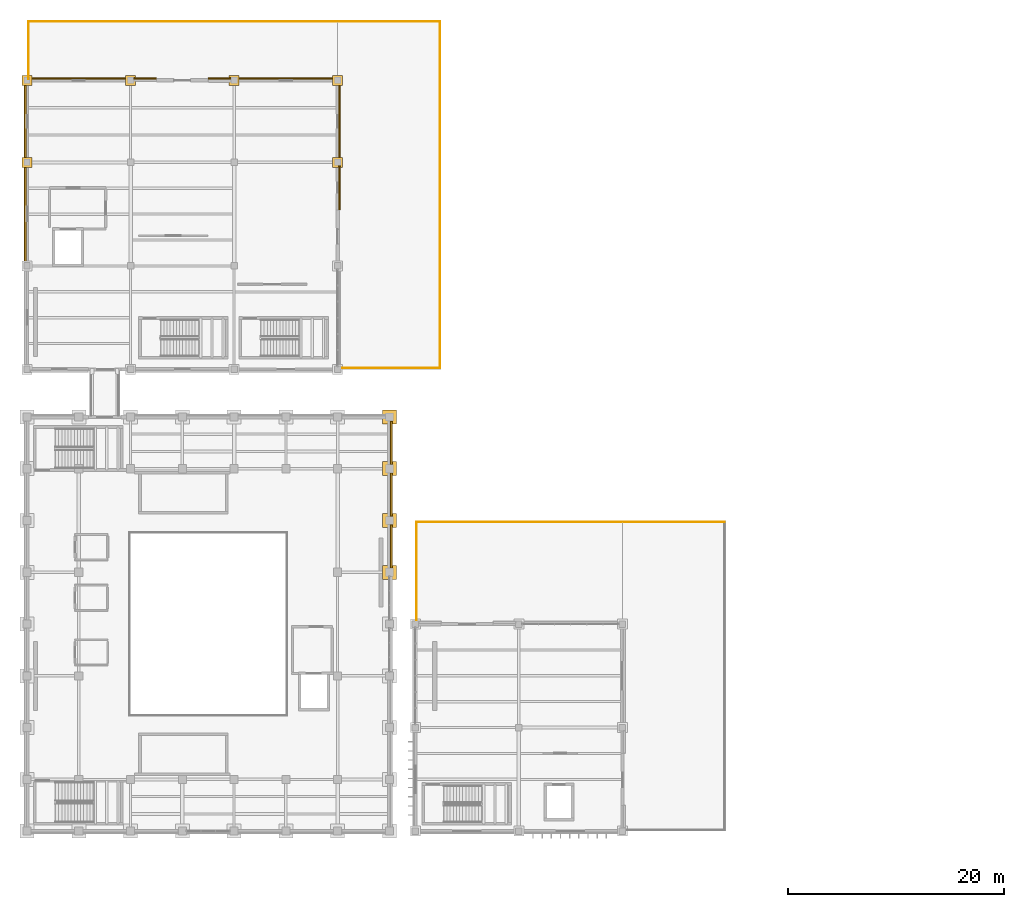
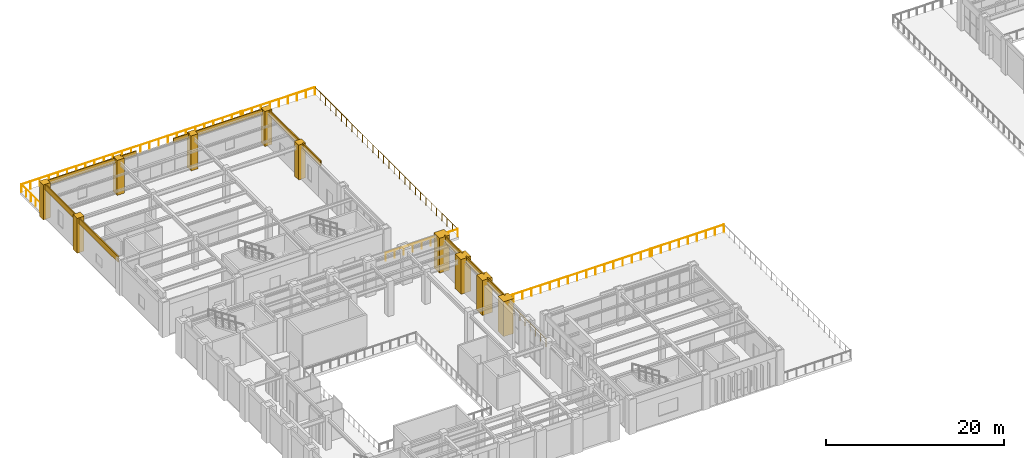
# One storey, part 78 of 83: 21 coverings, 8 railings.
"""IFC4 building model written with IfcOpenShell, lengths in metres."""

from ifc_helpers import new_model, si_unit, direction, frame, origin, origin_2d, place, context, subcontext, project, spatial, polyline, circle, outline, extrude, material, layer, layer_set, type_object, element, save


model = new_model("IFC4")

# Units and contexts
model_context = context("Model", 3, precision=1e-05, world=origin(), true_north=direction((0.0, 1.0)))
body_context = subcontext(model_context, "Body", "Model", "MODEL_VIEW")
ifc_project = project(units=[si_unit("LENGTHUNIT", "METRE"), si_unit("AREAUNIT", "SQUARE_METRE"), si_unit("VOLUMEUNIT", "CUBIC_METRE"), si_unit("PLANEANGLEUNIT", "RADIAN"), si_unit("MASSUNIT", "GRAM", prefix="KILO")], contexts=[model_context])

# Site, building, storey
site_placement = place(None, origin())
site = spatial("IfcSite", under=ifc_project, at=site_placement, CompositionType="ELEMENT")
building_placement = place(site_placement, origin())
building = spatial("IfcBuilding", under=site, at=building_placement, Name="Mavantir Sound Aquarium", CompositionType="ELEMENT")
storey_placement = place(building_placement, frame((0.0, 0.0, 10.5)))
storey = spatial("IfcBuildingStorey", under=building, at=storey_placement, Name="L02", CompositionType="ELEMENT", Elevation=10.5)

# Coverings
ifc_material_1 = material(Name="Honed Coral-Limestone & Glazed Terracotta Rainscreen Cladding", Category="masonry")
ifc_layer = layer(ifc_material_1, 0.06005859375, Name="Honed Coral-Limestone & Glazed Terracotta Rainscreen Cladding")
ifc_layer_set = layer_set([ifc_layer], Name="Honed Coral-Limestone & Glazed Terracotta Rainscreen Cladding")
covering_type = type_object("IfcCoveringType", Name="COV-CLAD-TC", PredefinedType="CLADDING", material=ifc_layer_set)
covering_1_placement = place(storey_placement, frame((0.0, 0.0, 4.008056640625)))
element("IfcCovering", 1, at=covering_1_placement, inside=storey, type_object=covering_type, Name="L02 Postmodern coral-limestone spandrel frieze 290", PredefinedType="CLADDING", context=body_context, shape_type="SweptSolid", body=[
    extrude(outline(polyline([(33.68994140625, 65.18310546875), (33.68994140625, 69.217041015625), (33.840087890625, 69.217041015625), (33.840087890625, 65.18310546875), (33.68994140625, 65.18310546875)])), origin(), (0.0, 0.0, 1.0), 0.7919921875),
])
covering_2_placement = place(storey_placement, frame((0.0, 0.0, 4.008056640625)))
element("IfcCovering", 2, at=covering_2_placement, inside=storey, type_object=covering_type, Name="L02 Postmodern coral-limestone spandrel frieze 291", PredefinedType="CLADDING", context=body_context, shape_type="SweptSolid", body=[
    extrude(outline(polyline([(33.68994140625, 69.98291015625), (33.68994140625, 74.01708984375), (33.840087890625, 74.01708984375), (33.840087890625, 69.98291015625), (33.68994140625, 69.98291015625)])), origin(), (0.0, 0.0, 1.0), 0.7919921875),
])
covering_3_placement = place(storey_placement, frame((0.0, 0.0, 3.89892578125)))
element("IfcCovering", 3, at=covering_3_placement, inside=storey, type_object=covering_type, Name="L02 Postmodern coral-limestone spandrel frieze 292", PredefinedType="CLADDING", context=body_context, shape_type="SweptSolid", body=[
    extrude(outline(polyline([(33.68994140625, 74.782958984375), (33.68994140625, 78.81689453125), (33.840087890625, 78.81689453125), (33.840087890625, 74.782958984375), (33.68994140625, 74.782958984375)])), origin(), (0.0, 0.0, 1.0), 0.901123046875),
])
covering_4_placement = place(storey_placement, frame((0.0, 0.0, 4.1279296875)))
element("IfcCovering", 4, at=covering_4_placement, inside=storey, type_object=covering_type, Name="L02 Postmodern coral-limestone spandrel frieze 377", PredefinedType="CLADDING", context=body_context, shape_type="SweptSolid", body=[
    extrude(outline(polyline([(28.889892578125, 98.405029296875), (28.889892578125, 102.491943359375), (29.0400390625, 102.491943359375), (29.0400390625, 98.405029296875), (28.889892578125, 98.405029296875)])), origin(), (0.0, 0.0, 1.0), 0.672119140625),
])
covering_5_placement = place(storey_placement, frame((0.0, 0.0, 4.0859375)))
element("IfcCovering", 5, at=covering_5_placement, inside=storey, type_object=covering_type, Name="L02 Postmodern coral-limestone spandrel frieze 378", PredefinedType="CLADDING", context=body_context, shape_type="SweptSolid", body=[
    extrude(outline(polyline([(28.889892578125, 103.10791015625), (28.889892578125, 110.092041015625), (29.0400390625, 110.092041015625), (29.0400390625, 103.10791015625), (28.889892578125, 103.10791015625)])), origin(), (0.0, 0.0, 1.0), 0.714111328125),
])
covering_6_placement = place(storey_placement, frame((0.0, 0.0, 4.087890625)))
element("IfcCovering", 6, at=covering_6_placement, inside=storey, type_object=covering_type, Name="L02 Postmodern coral-limestone spandrel frieze 379", PredefinedType="CLADDING", context=body_context, shape_type="SweptSolid", body=[
    extrude(outline(polyline([(28.491943359375, 110.489990234375), (19.508056640625, 110.489990234375), (19.508056640625, 110.639892578125), (28.491943359375, 110.639892578125), (28.491943359375, 110.489990234375)])), origin(), (0.0, 0.0, 1.0), 0.712158203125),
])
covering_7_placement = place(storey_placement, frame((0.0, 0.0, 4.193115234375)))
element("IfcCovering", 7, at=covering_7_placement, inside=storey, type_object=covering_type, Name="L02 Postmodern coral-limestone spandrel frieze 380", PredefinedType="CLADDING", context=body_context, shape_type="SweptSolid", body=[
    extrude(outline(polyline([(18.89208984375, 110.489990234375), (16.804931640625, 110.489990234375), (16.804931640625, 110.639892578125), (18.89208984375, 110.639892578125), (18.89208984375, 110.489990234375)])), origin(), (0.0, 0.0, 1.0), 0.60693359375),
])
covering_8_placement = place(storey_placement, frame((0.0, 0.0, 4.193115234375)))
element("IfcCovering", 8, at=covering_8_placement, inside=storey, type_object=covering_type, Name="L02 Postmodern coral-limestone spandrel frieze 381", PredefinedType="CLADDING", context=body_context, shape_type="SweptSolid", body=[
    extrude(outline(polyline([(11.9951171875, 110.489990234375), (9.907958984375, 110.489990234375), (9.907958984375, 110.639892578125), (11.9951171875, 110.639892578125), (11.9951171875, 110.489990234375)])), origin(), (0.0, 0.0, 1.0), 0.60693359375),
])
covering_9_placement = place(storey_placement, frame((0.0, 0.0, 4.087890625)))
element("IfcCovering", 9, at=covering_9_placement, inside=storey, type_object=covering_type, Name="L02 Postmodern coral-limestone spandrel frieze 382", PredefinedType="CLADDING", context=body_context, shape_type="SweptSolid", body=[
    extrude(outline(polyline([(9.2919921875, 110.489990234375), (0.30810546875, 110.489990234375), (0.30810546875, 110.639892578125), (9.2919921875, 110.639892578125), (9.2919921875, 110.489990234375)])), origin(), (0.0, 0.0, 1.0), 0.712158203125),
])
covering_10_placement = place(storey_placement, frame((0.0, 0.0, 4.032958984375)))
element("IfcCovering", 10, at=covering_10_placement, inside=storey, type_object=covering_type, Name="L02 Postmodern coral-limestone spandrel frieze 383", PredefinedType="CLADDING", context=body_context, shape_type="SweptSolid", body=[
    extrude(outline(polyline([(-0.090087890625, 110.092041015625), (-0.090087890625, 103.10791015625), (-0.239990234375, 103.10791015625), (-0.239990234375, 110.092041015625), (-0.090087890625, 110.092041015625)])), origin(), (0.0, 0.0, 1.0), 0.76708984375),
])
covering_11_placement = place(storey_placement, frame((0.0, 0.0, 4.032958984375)))
element("IfcCovering", 11, at=covering_11_placement, inside=storey, type_object=covering_type, Name="L02 Postmodern coral-limestone spandrel frieze 384", PredefinedType="CLADDING", context=body_context, shape_type="SweptSolid", body=[
    extrude(outline(polyline([(-0.090087890625, 102.491943359375), (-0.090087890625, 93.508056640625), (-0.239990234375, 93.508056640625), (-0.239990234375, 102.491943359375), (-0.090087890625, 102.491943359375)])), origin(), (0.0, 0.0, 1.0), 0.76708984375),
])
covering_12_placement = place(storey_placement, origin())
element("IfcCovering", 12, at=covering_12_placement, inside=storey, type_object=covering_type, Name="L02 Postmodern coral-limestone pilaster casing 107", PredefinedType="CLADDING", context=body_context, shape_type="SweptSolid", body=[
    extrude(outline(polyline([(32.949951171875, 64.14990234375), (34.25, 64.14990234375), (34.25, 65.449951171875), (32.949951171875, 65.449951171875), (32.949951171875, 64.14990234375)])), origin(), (0.0, 0.0, 1.0), 4.800048828125),
])
covering_13_placement = place(storey_placement, origin())
element("IfcCovering", 13, at=covering_13_placement, inside=storey, type_object=covering_type, Name="L02 Postmodern coral-limestone pilaster casing 111", PredefinedType="CLADDING", context=body_context, shape_type="SweptSolid", body=[
    extrude(outline(polyline([(32.949951171875, 68.949951171875), (34.25, 68.949951171875), (34.25, 70.25), (32.949951171875, 70.25), (32.949951171875, 68.949951171875)])), origin(), (0.0, 0.0, 1.0), 4.800048828125),
])
covering_14_placement = place(storey_placement, origin())
element("IfcCovering", 14, at=covering_14_placement, inside=storey, type_object=covering_type, Name="L02 Postmodern coral-limestone pilaster casing 115", PredefinedType="CLADDING", context=body_context, shape_type="SweptSolid", body=[
    extrude(outline(polyline([(32.949951171875, 73.75), (34.25, 73.75), (34.25, 75.050048828125), (32.949951171875, 75.050048828125), (32.949951171875, 73.75)])), origin(), (0.0, 0.0, 1.0), 4.800048828125),
])
covering_15_placement = place(storey_placement, origin())
element("IfcCovering", 15, at=covering_15_placement, inside=storey, type_object=covering_type, Name="L02 Postmodern coral-limestone pilaster casing 119", PredefinedType="CLADDING", context=body_context, shape_type="SweptSolid", body=[
    extrude(outline(polyline([(32.949951171875, 78.550048828125), (34.25, 78.550048828125), (34.25, 79.85009765625), (32.949951171875, 79.85009765625), (32.949951171875, 78.550048828125)])), origin(), (0.0, 0.0, 1.0), 4.800048828125),
])
covering_16_placement = place(storey_placement, origin())
element("IfcCovering", 16, at=covering_16_placement, inside=storey, type_object=covering_type, Name="L02 Postmodern coral-limestone pilaster casing 357", PredefinedType="CLADDING", context=body_context, shape_type="SweptSolid", body=[
    extrude(outline(polyline([(-0.4599609375, 102.340087890625), (0.4599609375, 102.340087890625), (0.4599609375, 103.260009765625), (-0.4599609375, 103.260009765625), (-0.4599609375, 102.340087890625)])), origin(), (0.0, 0.0, 1.0), 4.800048828125),
])
covering_17_placement = place(storey_placement, origin())
element("IfcCovering", 17, at=covering_17_placement, inside=storey, type_object=covering_type, Name="L02 Postmodern coral-limestone pilaster casing 363", PredefinedType="CLADDING", context=body_context, shape_type="SweptSolid", body=[
    extrude(outline(polyline([(-0.4599609375, 109.93994140625), (0.4599609375, 109.93994140625), (0.4599609375, 110.860107421875), (-0.4599609375, 110.860107421875), (-0.4599609375, 109.93994140625)])), origin(), (0.0, 0.0, 1.0), 4.800048828125),
])
covering_18_placement = place(storey_placement, origin())
element("IfcCovering", 18, at=covering_18_placement, inside=storey, type_object=covering_type, Name="L02 Postmodern coral-limestone pilaster casing 375", PredefinedType="CLADDING", context=body_context, shape_type="SweptSolid", body=[
    extrude(outline(polyline([(9.139892578125, 109.93994140625), (10.06005859375, 109.93994140625), (10.06005859375, 110.860107421875), (9.139892578125, 110.860107421875), (9.139892578125, 109.93994140625)])), origin(), (0.0, 0.0, 1.0), 4.800048828125),
])
covering_19_placement = place(storey_placement, origin())
element("IfcCovering", 19, at=covering_19_placement, inside=storey, type_object=covering_type, Name="L02 Postmodern coral-limestone pilaster casing 387", PredefinedType="CLADDING", context=body_context, shape_type="SweptSolid", body=[
    extrude(outline(polyline([(18.739990234375, 109.93994140625), (19.659912109375, 109.93994140625), (19.659912109375, 110.860107421875), (18.739990234375, 110.860107421875), (18.739990234375, 109.93994140625)])), origin(), (0.0, 0.0, 1.0), 4.800048828125),
])
covering_20_placement = place(storey_placement, origin())
element("IfcCovering", 20, at=covering_20_placement, inside=storey, type_object=covering_type, Name="L02 Postmodern coral-limestone pilaster casing 400", PredefinedType="CLADDING", context=body_context, shape_type="SweptSolid", body=[
    extrude(outline(polyline([(28.340087890625, 102.340087890625), (29.260009765625, 102.340087890625), (29.260009765625, 103.260009765625), (28.340087890625, 103.260009765625), (28.340087890625, 102.340087890625)])), origin(), (0.0, 0.0, 1.0), 4.800048828125),
])
covering_21_placement = place(storey_placement, origin())
element("IfcCovering", 21, at=covering_21_placement, inside=storey, type_object=covering_type, Name="L02 Postmodern coral-limestone pilaster casing 404", PredefinedType="CLADDING", context=body_context, shape_type="SweptSolid", body=[
    extrude(outline(polyline([(28.340087890625, 109.93994140625), (29.260009765625, 109.93994140625), (29.260009765625, 110.860107421875), (28.340087890625, 110.860107421875), (28.340087890625, 109.93994140625)])), origin(), (0.0, 0.0, 1.0), 4.800048828125),
])

# Railings
ifc_material_2 = material(Name="Stainless Steel 316 and Laminated Glass Guardrail", Category="steel")
railing_type = type_object("IfcRailingType", Name="RL-GUARD-110", PredefinedType="GUARDRAIL", material=ifc_material_2)
railing_1_placement = place(storey_placement, frame((55.320068359375, 69.47998046875, 0.0)))
element("IfcRailing", 22, at=railing_1_placement, inside=storey, type_object=railing_type, Name="L02 terrace N guardrail 16", PredefinedType="GUARDRAIL", context=body_context, shape_type="SweptSolid", body=[
    extrude(circle(Radius=0.02392578125, at=origin_2d()), frame((0.0, 0.0, 1.076171875), z_axis=(1.0, 0.0, 0.0), x_axis=(0.0, 1.0, 0.0)), (0.0, 0.0, 1.0), 9.35986328125),
    extrude(circle(Radius=0.02099609375, at=origin_2d()), origin(), (0.0, 0.0, 1.0), 1.052001953125),
    extrude(circle(Radius=0.02099609375, at=origin_2d()), frame((1.169921875, 0.0, 0.0)), (0.0, 0.0, 1.0), 1.052001953125),
    extrude(circle(Radius=0.02099609375, at=origin_2d()), frame((2.33984375, 0.0, 0.0)), (0.0, 0.0, 1.0), 1.052001953125),
    extrude(circle(Radius=0.02099609375, at=origin_2d()), frame((3.510009765625, 0.0, 0.0)), (0.0, 0.0, 1.0), 1.052001953125),
    extrude(circle(Radius=0.02099609375, at=origin_2d()), frame((4.679931640625, 0.0, 0.0)), (0.0, 0.0, 1.0), 1.052001953125),
    extrude(circle(Radius=0.02099609375, at=origin_2d()), frame((5.849853515625, 0.0, 0.0)), (0.0, 0.0, 1.0), 1.052001953125),
    extrude(circle(Radius=0.02099609375, at=origin_2d()), frame((7.02001953125, 0.0, 0.0)), (0.0, 0.0, 1.0), 1.052001953125),
    extrude(circle(Radius=0.02099609375, at=origin_2d()), frame((8.18994140625, 0.0, 0.0)), (0.0, 0.0, 1.0), 1.052001953125),
    extrude(circle(Radius=0.02099609375, at=origin_2d()), frame((9.35986328125, 0.0, 0.0)), (0.0, 0.0, 1.0), 1.052001953125),
])
railing_2_placement = place(storey_placement, frame((36.1201171875, 60.1201171875, 0.0)))
element("IfcRailing", 23, at=railing_2_placement, inside=storey, type_object=railing_type, Name="L02 terrace W guardrail 17", PredefinedType="GUARDRAIL", context=body_context, shape_type="SweptSolid", body=[
    extrude(circle(Radius=0.02392578125, at=origin_2d()), frame((0.0, 0.0, 1.076171875), z_axis=(0.0, 1.0, 0.0), x_axis=(-1.0, 0.0, 0.0)), (0.0, 0.0, 1.0), 9.35986328125),
    extrude(circle(Radius=0.02099609375, at=origin_2d()), origin(), (0.0, 0.0, 1.0), 1.052001953125),
    extrude(circle(Radius=0.02099609375, at=origin_2d()), frame((0.0, 1.169921875, 0.0)), (0.0, 0.0, 1.0), 1.052001953125),
    extrude(circle(Radius=0.02099609375, at=origin_2d()), frame((0.0, 2.33984375, 0.0)), (0.0, 0.0, 1.0), 1.052001953125),
    extrude(circle(Radius=0.02099609375, at=origin_2d()), frame((0.0, 3.510009765625, 0.0)), (0.0, 0.0, 1.0), 1.052001953125),
    extrude(circle(Radius=0.02099609375, at=origin_2d()), frame((0.0, 4.679931640625, 0.0)), (0.0, 0.0, 1.0), 1.052001953125),
    extrude(circle(Radius=0.02099609375, at=origin_2d()), frame((0.0, 5.849853515625, 0.0)), (0.0, 0.0, 1.0), 1.052001953125),
    extrude(circle(Radius=0.02099609375, at=origin_2d()), frame((0.0, 7.02001953125, 0.0)), (0.0, 0.0, 1.0), 1.052001953125),
    extrude(circle(Radius=0.02099609375, at=origin_2d()), frame((0.0, 8.18994140625, 0.0)), (0.0, 0.0, 1.0), 1.052001953125),
    extrude(circle(Radius=0.02099609375, at=origin_2d()), frame((0.0, 9.35986328125, 0.0)), (0.0, 0.0, 1.0), 1.052001953125),
])
railing_3_placement = place(storey_placement, frame((36.1201171875, 69.47998046875, 0.0)))
element("IfcRailing", 24, at=railing_3_placement, inside=storey, type_object=railing_type, Name="L02 terrace N guardrail 18", PredefinedType="GUARDRAIL", context=body_context, shape_type="SweptSolid", body=[
    extrude(circle(Radius=0.02392578125, at=origin_2d()), frame((0.0, 0.0, 1.076171875), z_axis=(1.0, 0.0, 0.0), x_axis=(0.0, 1.0, 0.0)), (0.0, 0.0, 1.0), 18.9599609375),
    extrude(circle(Radius=0.02099609375, at=origin_2d()), origin(), (0.0, 0.0, 1.0), 1.052001953125),
    extrude(circle(Radius=0.02099609375, at=origin_2d()), frame((1.18505859375, 0.0, 0.0)), (0.0, 0.0, 1.0), 1.052001953125),
    extrude(circle(Radius=0.02099609375, at=origin_2d()), frame((2.3701171875, 0.0, 0.0)), (0.0, 0.0, 1.0), 1.052001953125),
    extrude(circle(Radius=0.02099609375, at=origin_2d()), frame((3.554931640625, 0.0, 0.0)), (0.0, 0.0, 1.0), 1.052001953125),
    extrude(circle(Radius=0.02099609375, at=origin_2d()), frame((4.739990234375, 0.0, 0.0)), (0.0, 0.0, 1.0), 1.052001953125),
    extrude(circle(Radius=0.02099609375, at=origin_2d()), frame((5.925048828125, 0.0, 0.0)), (0.0, 0.0, 1.0), 1.052001953125),
    extrude(circle(Radius=0.02099609375, at=origin_2d()), frame((7.10986328125, 0.0, 0.0)), (0.0, 0.0, 1.0), 1.052001953125),
    extrude(circle(Radius=0.02099609375, at=origin_2d()), frame((8.294921875, 0.0, 0.0)), (0.0, 0.0, 1.0), 1.052001953125),
    extrude(circle(Radius=0.02099609375, at=origin_2d()), frame((9.47998046875, 0.0, 0.0)), (0.0, 0.0, 1.0), 1.052001953125),
    extrude(circle(Radius=0.02099609375, at=origin_2d()), frame((10.6650390625, 0.0, 0.0)), (0.0, 0.0, 1.0), 1.052001953125),
    extrude(circle(Radius=0.02099609375, at=origin_2d()), frame((11.85009765625, 0.0, 0.0)), (0.0, 0.0, 1.0), 1.052001953125),
    extrude(circle(Radius=0.02099609375, at=origin_2d()), frame((13.034912109375, 0.0, 0.0)), (0.0, 0.0, 1.0), 1.052001953125),
    extrude(circle(Radius=0.02099609375, at=origin_2d()), frame((14.219970703125, 0.0, 0.0)), (0.0, 0.0, 1.0), 1.052001953125),
    extrude(circle(Radius=0.02099609375, at=origin_2d()), frame((15.405029296875, 0.0, 0.0)), (0.0, 0.0, 1.0), 1.052001953125),
    extrude(circle(Radius=0.02099609375, at=origin_2d()), frame((16.58984375, 0.0, 0.0)), (0.0, 0.0, 1.0), 1.052001953125),
    extrude(circle(Radius=0.02099609375, at=origin_2d()), frame((17.77490234375, 0.0, 0.0)), (0.0, 0.0, 1.0), 1.052001953125),
    extrude(circle(Radius=0.02099609375, at=origin_2d()), frame((18.9599609375, 0.0, 0.0)), (0.0, 0.0, 1.0), 1.052001953125),
])
railing_4_placement = place(storey_placement, frame((28.919921875, 83.719970703125, 0.0)))
element("IfcRailing", 25, at=railing_4_placement, inside=storey, type_object=railing_type, Name="L02 terrace S guardrail 25", PredefinedType="GUARDRAIL", context=body_context, shape_type="SweptSolid", body=[
    extrude(circle(Radius=0.02392578125, at=origin_2d()), frame((0.0, 0.0, 1.076171875), z_axis=(1.0, 0.0, 0.0), x_axis=(0.0, 1.0, 0.0)), (0.0, 0.0, 1.0), 9.360107421875),
    extrude(circle(Radius=0.02099609375, at=origin_2d()), origin(), (0.0, 0.0, 1.0), 1.052001953125),
    extrude(circle(Radius=0.02099609375, at=origin_2d()), frame((1.169921875, 0.0, 0.0)), (0.0, 0.0, 1.0), 1.052001953125),
    extrude(circle(Radius=0.02099609375, at=origin_2d()), frame((2.340087890625, 0.0, 0.0)), (0.0, 0.0, 1.0), 1.052001953125),
    extrude(circle(Radius=0.02099609375, at=origin_2d()), frame((3.510009765625, 0.0, 0.0)), (0.0, 0.0, 1.0), 1.052001953125),
    extrude(circle(Radius=0.02099609375, at=origin_2d()), frame((4.68017578125, 0.0, 0.0)), (0.0, 0.0, 1.0), 1.052001953125),
    extrude(circle(Radius=0.02099609375, at=origin_2d()), frame((5.85009765625, 0.0, 0.0)), (0.0, 0.0, 1.0), 1.052001953125),
    extrude(circle(Radius=0.02099609375, at=origin_2d()), frame((7.02001953125, 0.0, 0.0)), (0.0, 0.0, 1.0), 1.052001953125),
    extrude(circle(Radius=0.02099609375, at=origin_2d()), frame((8.190185546875, 0.0, 0.0)), (0.0, 0.0, 1.0), 1.052001953125),
    extrude(circle(Radius=0.02099609375, at=origin_2d()), frame((9.360107421875, 0.0, 0.0)), (0.0, 0.0, 1.0), 1.052001953125),
])
railing_5_placement = place(storey_placement, frame((38.280029296875, 83.719970703125, 0.0)))
element("IfcRailing", 26, at=railing_5_placement, inside=storey, type_object=railing_type, Name="L02 terrace E guardrail 26", PredefinedType="GUARDRAIL", context=body_context, shape_type="SweptSolid", body=[
    extrude(circle(Radius=0.02392578125, at=origin_2d()), frame((0.0, 0.0, 1.076171875), z_axis=(0.0, 1.0, 0.0), x_axis=(-1.0, 0.0, 0.0)), (0.0, 0.0, 1.0), 32.159912109375),
    extrude(circle(Radius=0.02099609375, at=origin_2d()), origin(), (0.0, 0.0, 1.0), 1.052001953125),
    extrude(circle(Radius=0.02099609375, at=origin_2d()), frame((0.0, 1.191162109375, 0.0)), (0.0, 0.0, 1.0), 1.052001953125),
    extrude(circle(Radius=0.02099609375, at=origin_2d()), frame((0.0, 2.38232421875, 0.0)), (0.0, 0.0, 1.0), 1.052001953125),
    extrude(circle(Radius=0.02099609375, at=origin_2d()), frame((0.0, 3.5732421875, 0.0)), (0.0, 0.0, 1.0), 1.052001953125),
    extrude(circle(Radius=0.02099609375, at=origin_2d()), frame((0.0, 4.764404296875, 0.0)), (0.0, 0.0, 1.0), 1.052001953125),
    extrude(circle(Radius=0.02099609375, at=origin_2d()), frame((0.0, 5.95556640625, 0.0)), (0.0, 0.0, 1.0), 1.052001953125),
    extrude(circle(Radius=0.02099609375, at=origin_2d()), frame((0.0, 7.146728515625, 0.0)), (0.0, 0.0, 1.0), 1.052001953125),
    extrude(circle(Radius=0.02099609375, at=origin_2d()), frame((0.0, 8.337646484375, 0.0)), (0.0, 0.0, 1.0), 1.052001953125),
    extrude(circle(Radius=0.02099609375, at=origin_2d()), frame((0.0, 9.52880859375, 0.0)), (0.0, 0.0, 1.0), 1.052001953125),
    extrude(circle(Radius=0.02099609375, at=origin_2d()), frame((0.0, 10.719970703125, 0.0)), (0.0, 0.0, 1.0), 1.052001953125),
    extrude(circle(Radius=0.02099609375, at=origin_2d()), frame((0.0, 11.9111328125, 0.0)), (0.0, 0.0, 1.0), 1.052001953125),
    extrude(circle(Radius=0.02099609375, at=origin_2d()), frame((0.0, 13.102294921875, 0.0)), (0.0, 0.0, 1.0), 1.052001953125),
    extrude(circle(Radius=0.02099609375, at=origin_2d()), frame((0.0, 14.293212890625, 0.0)), (0.0, 0.0, 1.0), 1.052001953125),
    extrude(circle(Radius=0.02099609375, at=origin_2d()), frame((0.0, 15.484375, 0.0)), (0.0, 0.0, 1.0), 1.052001953125),
    extrude(circle(Radius=0.02099609375, at=origin_2d()), frame((0.0, 16.675537109375, 0.0)), (0.0, 0.0, 1.0), 1.052001953125),
    extrude(circle(Radius=0.02099609375, at=origin_2d()), frame((0.0, 17.86669921875, 0.0)), (0.0, 0.0, 1.0), 1.052001953125),
    extrude(circle(Radius=0.02099609375, at=origin_2d()), frame((0.0, 19.0576171875, 0.0)), (0.0, 0.0, 1.0), 1.052001953125),
    extrude(circle(Radius=0.02099609375, at=origin_2d()), frame((0.0, 20.248779296875, 0.0)), (0.0, 0.0, 1.0), 1.052001953125),
    extrude(circle(Radius=0.02099609375, at=origin_2d()), frame((0.0, 21.43994140625, 0.0)), (0.0, 0.0, 1.0), 1.052001953125),
    extrude(circle(Radius=0.02099609375, at=origin_2d()), frame((0.0, 22.631103515625, 0.0)), (0.0, 0.0, 1.0), 1.052001953125),
    extrude(circle(Radius=0.02099609375, at=origin_2d()), frame((0.0, 23.822265625, 0.0)), (0.0, 0.0, 1.0), 1.052001953125),
    extrude(circle(Radius=0.02099609375, at=origin_2d()), frame((0.0, 25.01318359375, 0.0)), (0.0, 0.0, 1.0), 1.052001953125),
    extrude(circle(Radius=0.02099609375, at=origin_2d()), frame((0.0, 26.204345703125, 0.0)), (0.0, 0.0, 1.0), 1.052001953125),
    extrude(circle(Radius=0.02099609375, at=origin_2d()), frame((0.0, 27.3955078125, 0.0)), (0.0, 0.0, 1.0), 1.052001953125),
    extrude(circle(Radius=0.02099609375, at=origin_2d()), frame((0.0, 28.586669921875, 0.0)), (0.0, 0.0, 1.0), 1.052001953125),
    extrude(circle(Radius=0.02099609375, at=origin_2d()), frame((0.0, 29.777587890625, 0.0)), (0.0, 0.0, 1.0), 1.052001953125),
    extrude(circle(Radius=0.02099609375, at=origin_2d()), frame((0.0, 30.96875, 0.0)), (0.0, 0.0, 1.0), 1.052001953125),
    extrude(circle(Radius=0.02099609375, at=origin_2d()), frame((0.0, 32.159912109375, 0.0)), (0.0, 0.0, 1.0), 1.052001953125),
])
railing_6_placement = place(storey_placement, frame((28.919921875, 115.8798828125, 0.0)))
element("IfcRailing", 27, at=railing_6_placement, inside=storey, type_object=railing_type, Name="L02 terrace N guardrail 27", PredefinedType="GUARDRAIL", context=body_context, shape_type="SweptSolid", body=[
    extrude(circle(Radius=0.02392578125, at=origin_2d()), frame((0.0, 0.0, 1.076171875), z_axis=(1.0, 0.0, 0.0), x_axis=(0.0, 1.0, 0.0)), (0.0, 0.0, 1.0), 9.360107421875),
    extrude(circle(Radius=0.02099609375, at=origin_2d()), origin(), (0.0, 0.0, 1.0), 1.052001953125),
    extrude(circle(Radius=0.02099609375, at=origin_2d()), frame((1.169921875, 0.0, 0.0)), (0.0, 0.0, 1.0), 1.052001953125),
    extrude(circle(Radius=0.02099609375, at=origin_2d()), frame((2.340087890625, 0.0, 0.0)), (0.0, 0.0, 1.0), 1.052001953125),
    extrude(circle(Radius=0.02099609375, at=origin_2d()), frame((3.510009765625, 0.0, 0.0)), (0.0, 0.0, 1.0), 1.052001953125),
    extrude(circle(Radius=0.02099609375, at=origin_2d()), frame((4.68017578125, 0.0, 0.0)), (0.0, 0.0, 1.0), 1.052001953125),
    extrude(circle(Radius=0.02099609375, at=origin_2d()), frame((5.85009765625, 0.0, 0.0)), (0.0, 0.0, 1.0), 1.052001953125),
    extrude(circle(Radius=0.02099609375, at=origin_2d()), frame((7.02001953125, 0.0, 0.0)), (0.0, 0.0, 1.0), 1.052001953125),
    extrude(circle(Radius=0.02099609375, at=origin_2d()), frame((8.190185546875, 0.0, 0.0)), (0.0, 0.0, 1.0), 1.052001953125),
    extrude(circle(Radius=0.02099609375, at=origin_2d()), frame((9.360107421875, 0.0, 0.0)), (0.0, 0.0, 1.0), 1.052001953125),
])
railing_7_placement = place(storey_placement, frame((0.1201171875, 110.52001953125, 0.0)))
element("IfcRailing", 28, at=railing_7_placement, inside=storey, type_object=railing_type, Name="L02 terrace W guardrail 28", PredefinedType="GUARDRAIL", context=body_context, shape_type="SweptSolid", body=[
    extrude(circle(Radius=0.02392578125, at=origin_2d()), frame((0.0, 0.0, 1.076171875), z_axis=(0.0, 1.0, 0.0), x_axis=(-1.0, 0.0, 0.0)), (0.0, 0.0, 1.0), 5.35986328125),
    extrude(circle(Radius=0.02099609375, at=origin_2d()), origin(), (0.0, 0.0, 1.0), 1.052001953125),
    extrude(circle(Radius=0.02099609375, at=origin_2d()), frame((0.0, 1.072021484375, 0.0)), (0.0, 0.0, 1.0), 1.052001953125),
    extrude(circle(Radius=0.02099609375, at=origin_2d()), frame((0.0, 2.14404296875, 0.0)), (0.0, 0.0, 1.0), 1.052001953125),
    extrude(circle(Radius=0.02099609375, at=origin_2d()), frame((0.0, 3.2158203125, 0.0)), (0.0, 0.0, 1.0), 1.052001953125),
    extrude(circle(Radius=0.02099609375, at=origin_2d()), frame((0.0, 4.287841796875, 0.0)), (0.0, 0.0, 1.0), 1.052001953125),
    extrude(circle(Radius=0.02099609375, at=origin_2d()), frame((0.0, 5.35986328125, 0.0)), (0.0, 0.0, 1.0), 1.052001953125),
])
railing_8_placement = place(storey_placement, frame((0.1201171875, 115.8798828125, 0.0)))
element("IfcRailing", 29, at=railing_8_placement, inside=storey, type_object=railing_type, Name="L02 terrace N guardrail 29", PredefinedType="GUARDRAIL", context=body_context, shape_type="SweptSolid", body=[
    extrude(circle(Radius=0.02392578125, at=origin_2d()), frame((0.0, 0.0, 1.076171875), z_axis=(1.0, 0.0, 0.0), x_axis=(0.0, 1.0, 0.0)), (0.0, 0.0, 1.0), 28.559814453125),
    extrude(circle(Radius=0.02099609375, at=origin_2d()), origin(), (0.0, 0.0, 1.0), 1.052001953125),
    extrude(circle(Radius=0.02099609375, at=origin_2d()), frame((1.18994140625, 0.0, 0.0)), (0.0, 0.0, 1.0), 1.052001953125),
    extrude(circle(Radius=0.02099609375, at=origin_2d()), frame((2.3798828125, 0.0, 0.0)), (0.0, 0.0, 1.0), 1.052001953125),
    extrude(circle(Radius=0.02099609375, at=origin_2d()), frame((3.570068359375, 0.0, 0.0)), (0.0, 0.0, 1.0), 1.052001953125),
    extrude(circle(Radius=0.02099609375, at=origin_2d()), frame((4.760009765625, 0.0, 0.0)), (0.0, 0.0, 1.0), 1.052001953125),
    extrude(circle(Radius=0.02099609375, at=origin_2d()), frame((5.949951171875, 0.0, 0.0)), (0.0, 0.0, 1.0), 1.052001953125),
    extrude(circle(Radius=0.02099609375, at=origin_2d()), frame((7.139892578125, 0.0, 0.0)), (0.0, 0.0, 1.0), 1.052001953125),
    extrude(circle(Radius=0.02099609375, at=origin_2d()), frame((8.329833984375, 0.0, 0.0)), (0.0, 0.0, 1.0), 1.052001953125),
    extrude(circle(Radius=0.02099609375, at=origin_2d()), frame((9.52001953125, 0.0, 0.0)), (0.0, 0.0, 1.0), 1.052001953125),
    extrude(circle(Radius=0.02099609375, at=origin_2d()), frame((10.7099609375, 0.0, 0.0)), (0.0, 0.0, 1.0), 1.052001953125),
    extrude(circle(Radius=0.02099609375, at=origin_2d()), frame((11.89990234375, 0.0, 0.0)), (0.0, 0.0, 1.0), 1.052001953125),
    extrude(circle(Radius=0.02099609375, at=origin_2d()), frame((13.08984375, 0.0, 0.0)), (0.0, 0.0, 1.0), 1.052001953125),
    extrude(circle(Radius=0.02099609375, at=origin_2d()), frame((14.27978515625, 0.0, 0.0)), (0.0, 0.0, 1.0), 1.052001953125),
    extrude(circle(Radius=0.02099609375, at=origin_2d()), frame((15.469970703125, 0.0, 0.0)), (0.0, 0.0, 1.0), 1.052001953125),
    extrude(circle(Radius=0.02099609375, at=origin_2d()), frame((16.659912109375, 0.0, 0.0)), (0.0, 0.0, 1.0), 1.052001953125),
    extrude(circle(Radius=0.02099609375, at=origin_2d()), frame((17.849853515625, 0.0, 0.0)), (0.0, 0.0, 1.0), 1.052001953125),
    extrude(circle(Radius=0.02099609375, at=origin_2d()), frame((19.039794921875, 0.0, 0.0)), (0.0, 0.0, 1.0), 1.052001953125),
    extrude(circle(Radius=0.02099609375, at=origin_2d()), frame((20.22998046875, 0.0, 0.0)), (0.0, 0.0, 1.0), 1.052001953125),
    extrude(circle(Radius=0.02099609375, at=origin_2d()), frame((21.419921875, 0.0, 0.0)), (0.0, 0.0, 1.0), 1.052001953125),
    extrude(circle(Radius=0.02099609375, at=origin_2d()), frame((22.60986328125, 0.0, 0.0)), (0.0, 0.0, 1.0), 1.052001953125),
    extrude(circle(Radius=0.02099609375, at=origin_2d()), frame((23.7998046875, 0.0, 0.0)), (0.0, 0.0, 1.0), 1.052001953125),
    extrude(circle(Radius=0.02099609375, at=origin_2d()), frame((24.98974609375, 0.0, 0.0)), (0.0, 0.0, 1.0), 1.052001953125),
    extrude(circle(Radius=0.02099609375, at=origin_2d()), frame((26.179931640625, 0.0, 0.0)), (0.0, 0.0, 1.0), 1.052001953125),
    extrude(circle(Radius=0.02099609375, at=origin_2d()), frame((27.369873046875, 0.0, 0.0)), (0.0, 0.0, 1.0), 1.052001953125),
    extrude(circle(Radius=0.02099609375, at=origin_2d()), frame((28.559814453125, 0.0, 0.0)), (0.0, 0.0, 1.0), 1.052001953125),
])

save(model, "model.ifc")
